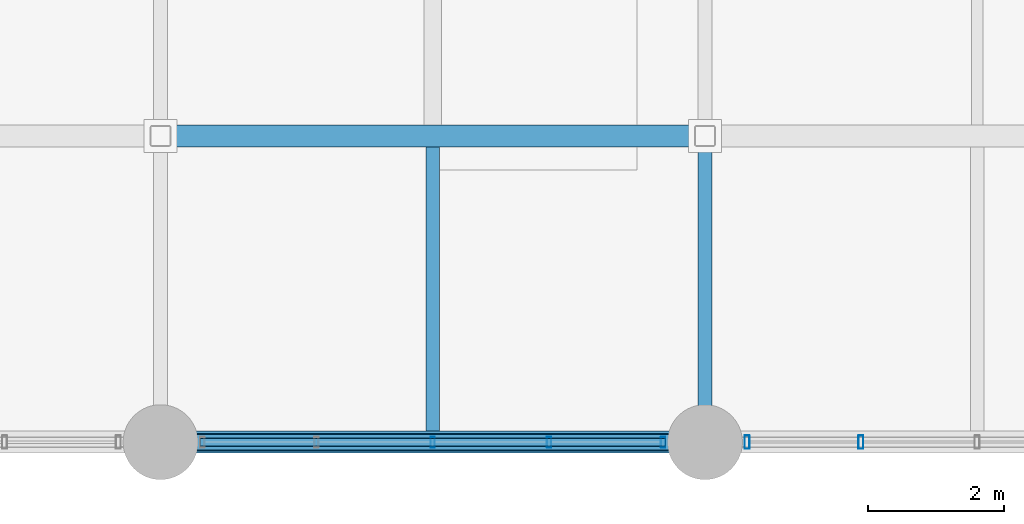
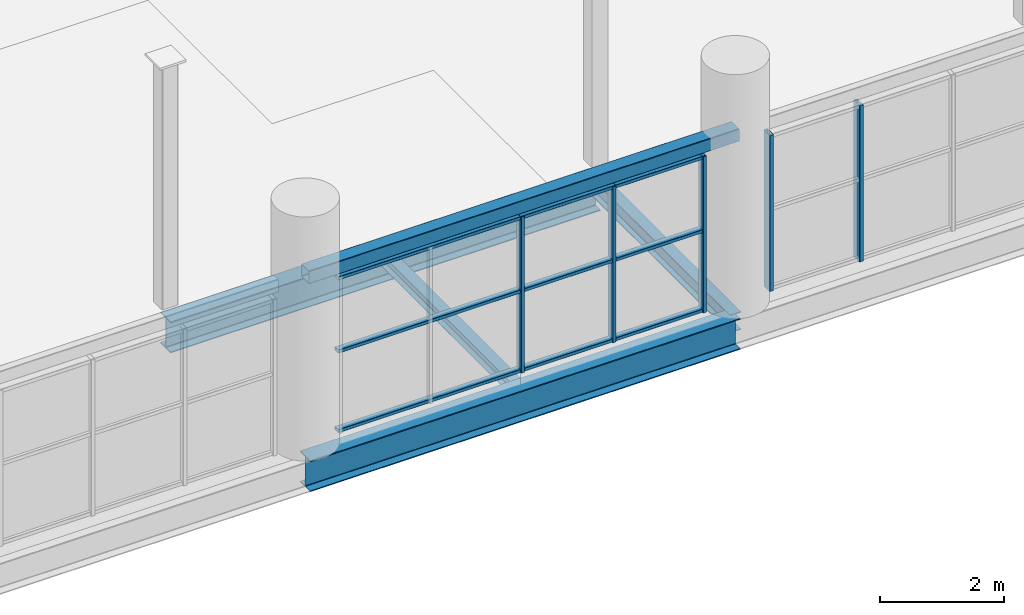
# One storey, part 27 of 114: 8 members, 5 beams, 2 elements without a shape of their own.
"""IFC4 building model written with IfcOpenShell, lengths in metres."""

import ifcopenshell
import ifcopenshell.guid

model = None  # the IFC model being written
_history = None  # IfcOwnerHistory: only IFC2X3 demands one
_inside = {}  # id of a spatial element -> (the spatial element, [elements in it])
_under = {}  # id of a project, library or spatial element -> (it, [spatial elements below it])
_declared = {}  # id of a project -> (the project, [libraries it declares])
_typed = {}  # id of a type object -> (the type object, [elements of that type])
_made_of = {}  # id of a material, layer set ... -> (it, [elements and type objects made of it])


def new_model(schema):
    """Start an empty IFC model of exactly this schema.

    Asked for "IFC4X3", IfcOpenShell would pick the latest addendum, in which some entities
    have other attributes; the version numbers below select the first issue.
    IFC2X3 requires an IfcOwnerHistory on every rooted entity: one is made here for all.
    """
    global model, _history
    if schema == "IFC4X3":
        model = ifcopenshell.file(schema_version=(4, 3, 0, 0))
    else:
        model = ifcopenshell.file(schema=schema)
    _inside.clear()
    _under.clear()
    _declared.clear()
    _typed.clear()
    _made_of.clear()
    _history = None
    if model.schema == "IFC2X3":
        org = make("IfcOrganization", Name="unknown")
        user = make(
            "IfcPersonAndOrganization",
            ThePerson=make("IfcPerson", FamilyName="unknown"),
            TheOrganization=org,
        )
        app = make(
            "IfcApplication",
            ApplicationDeveloper=org,
            Version="unknown",
            ApplicationFullName="unknown",
            ApplicationIdentifier="unknown",
        )
        _history = make(
            "IfcOwnerHistory",
            OwningUser=user,
            OwningApplication=app,
            ChangeAction="ADDED",
            CreationDate=0,
        )
    return model


def make(cls, **values):
    """One entity of the class cls with the attributes given. An attribute that is None is left unset."""
    return model.create_entity(
        cls, **{name: value for name, value in values.items() if value is not None}
    )


def rooted(cls, **values):
    """An entity with a GlobalId (a new one), such as an element, a storey or a relation."""
    return make(cls, GlobalId=ifcopenshell.guid.new(), OwnerHistory=_history, **values)


def si_unit(unit_type, name, prefix=None):
    """IfcSIUnit, for example si_unit("LENGTHUNIT", "METRE", prefix="MILLI")."""
    return make("IfcSIUnit", UnitType=unit_type, Prefix=prefix, Name=name)


def assignment(units):
    """IfcUnitAssignment: the units of a project."""
    return None if units is None else make("IfcUnitAssignment", Units=units)


def point(xyz):
    """IfcCartesianPoint."""
    return None if xyz is None else make("IfcCartesianPoint", Coordinates=xyz)


def direction(xyz):
    """IfcDirection."""
    return None if xyz is None else make("IfcDirection", DirectionRatios=xyz)


def frame(location, z_axis=None, x_axis=None):
    """IfcAxis2Placement3D, a coordinate frame: its origin and axes. An axis left out is left unset."""
    return make(
        "IfcAxis2Placement3D",
        Location=point(location),
        Axis=direction(z_axis),
        RefDirection=direction(x_axis),
    )


def frame_2d(location, x_axis=None):
    """IfcAxis2Placement2D, a coordinate frame in the plane: its origin and x axis."""
    return make(
        "IfcAxis2Placement2D", Location=point(location), RefDirection=direction(x_axis)
    )


def origin():
    """The frame at (0, 0, 0) with its axes left unset."""
    return frame((0.0, 0.0, 0.0))


def origin_2d():
    """The frame at (0, 0) in the plane with its x axis left unset."""
    return frame_2d((0.0, 0.0))


def place(relative_to, where):
    """IfcLocalPlacement: puts the frame where relative to a parent placement (None: the world)."""
    return make(
        "IfcLocalPlacement", PlacementRelTo=relative_to, RelativePlacement=where
    )


def context(
    kind, dimensions, precision=None, world=None, true_north=None, identifier=None
):
    """IfcGeometricRepresentationContext, for example the 3D "Model" context."""
    return make(
        "IfcGeometricRepresentationContext",
        ContextIdentifier=identifier,
        ContextType=kind,
        CoordinateSpaceDimension=dimensions,
        Precision=precision,
        WorldCoordinateSystem=world,
        TrueNorth=true_north,
    )


def subcontext(parent, identifier, kind, view, scale=None):
    """IfcGeometricRepresentationSubContext, for example "Body" below "Model"."""
    return make(
        "IfcGeometricRepresentationSubContext",
        ContextIdentifier=identifier,
        ContextType=kind,
        ParentContext=parent,
        TargetScale=scale,
        TargetView=view,
    )


def project(units=None, contexts=None):
    """IfcProject with its units and contexts."""
    return rooted(
        "IfcProject",
        Name="project",
        RepresentationContexts=contexts,
        UnitsInContext=assignment(units),
    )


def spatial(cls, under=None, at=None, **own):
    """A site, building, storey or space (cls), placed at a placement, below another one or the project."""
    s = rooted(cls, ObjectPlacement=at, **own)
    if under is not None:
        _under.setdefault(under.id(), (under, []))[1].append(s)
    return s


def profile(cls, at=None, kind="AREA", **sizes):
    """A parametric profile (cls). Its sizes go by their IFC names, for example OverallWidth=200.0."""
    return make(cls, ProfileType=kind, Position=at, **sizes)


def hollow_rectangle(**sizes):
    """IfcRectangleHollowProfileDef."""
    return profile("IfcRectangleHollowProfileDef", **sizes)


def i_section(**sizes):
    """IfcIShapeProfileDef."""
    return profile("IfcIShapeProfileDef", **sizes)


def extrude(swept, where, along, depth):
    """IfcExtrudedAreaSolid: the profile swept, set in the frame where, extruded along a direction by depth."""
    return make(
        "IfcExtrudedAreaSolid",
        SweptArea=swept,
        Position=where,
        ExtrudedDirection=direction(along),
        Depth=depth,
    )


def shape(context_of_items, identifier, shape_type, items):
    """IfcShapeRepresentation: the items that make up one representation, for example the "Body"."""
    return make(
        "IfcShapeRepresentation",
        ContextOfItems=context_of_items,
        RepresentationIdentifier=identifier,
        RepresentationType=shape_type,
        Items=items,
    )


def material(Name=None, Category=None):
    """IfcMaterial."""
    return make("IfcMaterial", Name=Name, Category=Category)


def material_profile(
    of_material, cross_section, Name=None, Category=None, Priority=None
):
    """IfcMaterialProfile: a cross section and its material."""
    return make(
        "IfcMaterialProfile",
        Name=Name,
        Material=of_material,
        Profile=cross_section,
        Priority=Priority,
        Category=Category,
    )


def profile_set(profiles, Name=None, composite=None):
    """IfcMaterialProfileSet."""
    return make(
        "IfcMaterialProfileSet",
        Name=Name,
        MaterialProfiles=profiles,
        CompositeProfile=composite,
    )


def made_of(thing, what):
    """Note that an element or type object is made of a material, layer set ...; save() writes the relation."""
    if what is not None:
        _made_of.setdefault(what.id(), (what, []))[1].append(thing)
    return thing


def type_object(cls, material=None, **own):
    """A type object (cls), such as IfcWallType, which elements share."""
    return made_of(rooted(cls, **own), material)


def element(
    cls,
    number,
    at=None,
    inside=None,
    cuts=None,
    type_object=None,
    material=None,
    context=None,
    identifier="Body",
    shape_type=None,
    held_by="IfcProductDefinitionShape",
    body=None,
    shapes=None,
    **own,
):
    """One element of the class cls, such as IfcWall. Its Tag is "e" and its number.

    at: its placement. inside: the storey or other place that contains it. cuts: it is an
    opening in that element (IfcRelVoidsElement). A single representation is given by context,
    identifier, shape_type and body (its items); several are given by shapes. held_by: the class
    of the entity that holds the representations. save() writes the other relations.
    """
    e = rooted(cls, Tag="e%d" % number, ObjectPlacement=at, **own)
    if body is not None:
        shapes = [shape(context, identifier, shape_type, body)]
    if shapes is not None:
        e.Representation = make(held_by, Representations=shapes)
    if inside is not None:
        _inside.setdefault(inside.id(), (inside, []))[1].append(e)
    if cuts is not None:
        rooted(
            "IfcRelVoidsElement", RelatingBuildingElement=cuts, RelatedOpeningElement=e
        )
    if type_object is not None:
        _typed.setdefault(type_object.id(), (type_object, []))[1].append(e)
    return made_of(e, material)


def aggregate(whole, parts):
    """IfcRelAggregates: a whole, such as a stair, and the parts it consists of."""
    return rooted("IfcRelAggregates", RelatingObject=whole, RelatedObjects=parts)


def save(model, path):
    """Write the relations noted so far, then the file.

    IfcRelAggregates (storeys below a building ...), IfcRelContainedInSpatialStructure (elements
    in a storey), IfcRelDefinesByType, IfcRelAssociatesMaterial and IfcRelDeclares: one each for
    every whole, place, type object, material and project.
    """
    for whole, parts in _under.values():
        aggregate(whole, parts)
    for where, things in _inside.values():
        rooted(
            "IfcRelContainedInSpatialStructure",
            RelatedElements=things,
            RelatingStructure=where,
        )
    for kind, things in _typed.values():
        rooted("IfcRelDefinesByType", RelatedObjects=things, RelatingType=kind)
    for what, things in _made_of.values():
        rooted("IfcRelAssociatesMaterial", RelatedObjects=things, RelatingMaterial=what)
    for by, libraries in _declared.values():
        rooted("IfcRelDeclares", RelatingContext=by, RelatedDefinitions=libraries)
    model.write(path)


model = new_model("IFC4")

# Units and contexts
model_context = context("Model", 3, precision=1e-05, world=origin(), true_north=direction((0.0, 1.0)))
body_context = subcontext(model_context, "Body", "Model", "MODEL_VIEW")
ifc_project = project(units=[si_unit("LENGTHUNIT", "METRE"), si_unit("AREAUNIT", "SQUARE_METRE"), si_unit("VOLUMEUNIT", "CUBIC_METRE"), si_unit("PLANEANGLEUNIT", "RADIAN"), si_unit("MASSUNIT", "GRAM", prefix="KILO")], contexts=[model_context])

# Site, building, storey
site_placement = place(None, origin())
site = spatial("IfcSite", under=ifc_project, at=site_placement, CompositionType="ELEMENT")
building_placement = place(site_placement, origin())
building = spatial("IfcBuilding", under=site, at=building_placement, Name="Verrall Gate Interchange", CompositionType="ELEMENT")
storey_placement = place(building_placement, frame((0.0, 0.0, 6.60009765625)))
storey = spatial("IfcBuildingStorey", under=building, at=storey_placement, Name="L02", CompositionType="ELEMENT", Elevation=6.60009765625)

# Beams
ifc_material_1 = material(Name="Structural Steel CSA G40.21 350WT Cat 4", Category="steel")
ifc_material_profile_1 = material_profile(ifc_material_1, i_section(OverallWidth=0.323974609375, OverallDepth=0.611083984375, WebThickness=0.0126953125, FlangeThickness=0.01904296875, FilletRadius=0.014892578125, at=origin_2d()), Name="W610x155")
ifc_profile_set_1 = profile_set([ifc_material_profile_1], Name="Structural Steel CSA G40.21 350WT Cat 4")
beam_type_1 = type_object("IfcBeamType", Name="B-08 Structural Beam W610x155", PredefinedType="BEAM", material=ifc_profile_set_1)
for number, where, z_axis, x_axis, name in (
    (1, (68.0, 0.0, -0.585693359375), (1.0, 0.0, 0.0), (0.0, 1.0, 0.0), "L02 Girder BM-L02-1445 (B-08)"),
    (2, (68.0, 4.5, -0.585693359375), (1.0, 0.0, 0.0), (0.0, 1.0, 0.0), "L02 Girder BM-L02-1461 (B-08)"),
):
    element("IfcBeam", number, at=place(storey_placement, frame(where, z_axis=z_axis, x_axis=x_axis)), inside=storey, type_object=beam_type_1, Name=name, PredefinedType="BEAM", context=body_context, shape_type="SweptSolid", body=[
        extrude(i_section(OverallWidth=0.323974609375, OverallDepth=0.611083984375, WebThickness=0.0126953125, FlangeThickness=0.01904296875, FilletRadius=0.014892578125, at=origin_2d()), origin(), (0.0, 0.0, 1.0), 8.0),
    ])
ifc_material_2 = material(Name="Structural Steel CSA G40.21 350W", Category="steel")
ifc_material_profile_2 = material_profile(ifc_material_2, i_section(OverallWidth=0.205078125, OverallDepth=0.35400390625, WebThickness=0.009521484375, FlangeThickness=0.016845703125, FilletRadius=0.012939453125, at=origin_2d()), Name="W360x79")
ifc_profile_set_2 = profile_set([ifc_material_profile_2], Name="Structural Steel CSA G40.21 350W")
beam_type_2 = type_object("IfcBeamType", Name="B-14 Structural Beam W360x79", PredefinedType="BEAM", material=ifc_profile_set_2)
beam_1_placement = place(storey_placement, frame((76.0, 0.0, -0.45703125), z_axis=(0.0, 1.0, 0.0), x_axis=(-1.0, 0.0, 0.0)))
element("IfcBeam", 3, at=beam_1_placement, inside=storey, type_object=beam_type_2, Name="L02 Girder BM-L02-1751 (B-14)", PredefinedType="BEAM", context=body_context, shape_type="SweptSolid", body=[
    extrude(i_section(OverallWidth=0.205078125, OverallDepth=0.35400390625, WebThickness=0.009521484375, FlangeThickness=0.016845703125, FilletRadius=0.012939453125, at=origin_2d()), origin(), (0.0, 0.0, 1.0), 4.5),
])

# Curtain wall, members
ifc_material_3 = material(Name="Thermally Broken Anodized Aluminium Curtain Wall Framing", Category="aluminium")
curtain_wall_type = type_object("IfcCurtainWallType", Name="CW-14 Unitized Curtain Wall 6836x3070", PredefinedType="NOTDEFINED", material=ifc_material_3)
curtain_wall_1_placement = place(storey_placement, origin())
curtain_wall_1 = element("IfcCurtainWall", 4, at=curtain_wall_1_placement, inside=storey, type_object=curtain_wall_type, Name="L02 Unitized Curtain Wall CW-L02-056", PredefinedType="NOTDEFINED")
ifc_material_4 = material(Name="Thermally Broken Anodized Aluminium Curtain Wall Framing", Category="aluminium")
ifc_material_profile_3 = material_profile(ifc_material_4, hollow_rectangle(XDim=0.06494140625, YDim=0.159912109375, WallThickness=0.00390625, InnerFilletRadius=0.00390625, OuterFilletRadius=0.008056640625, at=origin_2d()), Name="CWM160x65x4")
ifc_profile_set_3 = profile_set([ifc_material_profile_3], Name="Thermally Broken Anodized Aluminium Curtain Wall Framing")
member_type_1 = type_object("IfcMemberType", Name="CM-01 Curtain Mullion CWM160x65x4", PredefinedType="MULLION", material=ifc_profile_set_3)
member_1_placement = place(storey_placement, frame((72.0, 0.0, 0.0), z_axis=(0.0, 0.0, 1.0), x_axis=(1.0, 0.0, 0.0)))
member_1 = element("IfcMember", 5, at=member_1_placement, type_object=member_type_1, Name="CW-L02-056 Mullion 3", PredefinedType="MULLION", context=body_context, shape_type="SweptSolid", body=[
    extrude(hollow_rectangle(XDim=0.06494140625, YDim=0.159912109375, WallThickness=0.00390625, InnerFilletRadius=0.00390625, OuterFilletRadius=0.008056640625, at=origin_2d()), origin(), (0.0, 0.0, 1.0), 3.06982421875),
])
member_2_placement = place(storey_placement, frame((73.708984375, 0.0, 0.0), z_axis=(0.0, 0.0, 1.0), x_axis=(1.0, 0.0, 0.0)))
member_2 = element("IfcMember", 6, at=member_2_placement, type_object=member_type_1, Name="CW-L02-056 Mullion 4", PredefinedType="MULLION", context=body_context, shape_type="SweptSolid", body=[
    extrude(hollow_rectangle(XDim=0.06494140625, YDim=0.159912109375, WallThickness=0.00390625, InnerFilletRadius=0.00390625, OuterFilletRadius=0.008056640625, at=origin_2d()), origin(), (0.0, 0.0, 1.0), 3.06982421875),
])
member_3_placement = place(storey_placement, frame((75.385498046875, 0.0, 0.0), z_axis=(0.0, 0.0, 1.0), x_axis=(1.0, 0.0, 0.0)))
member_3 = element("IfcMember", 7, at=member_3_placement, type_object=member_type_1, Name="CW-L02-056 Mullion 5", PredefinedType="MULLION", context=body_context, shape_type="SweptSolid", body=[
    extrude(hollow_rectangle(XDim=0.06494140625, YDim=0.159912109375, WallThickness=0.00390625, InnerFilletRadius=0.00390625, OuterFilletRadius=0.008056640625, at=origin_2d()), origin(), (0.0, 0.0, 1.0), 3.06982421875),
])

curtain_wall_2_placement = place(storey_placement, origin())
curtain_wall_2 = element("IfcCurtainWall", 8, at=curtain_wall_2_placement, inside=storey, type_object=curtain_wall_type, Name="L02 Unitized Curtain Wall CW-L02-057", PredefinedType="NOTDEFINED")
ifc_material_5 = material(Name="Thermally Broken Anodized Aluminium Curtain Wall Framing", Category="aluminium")
ifc_material_profile_4 = material_profile(ifc_material_5, hollow_rectangle(XDim=0.074951171875, YDim=0.199951171875, WallThickness=0.0048828125, InnerFilletRadius=0.0048828125, OuterFilletRadius=0.010009765625, at=origin_2d()), Name="CWM200x75x5")
ifc_profile_set_4 = profile_set([ifc_material_profile_4], Name="Thermally Broken Anodized Aluminium Curtain Wall Framing")
member_type_2 = type_object("IfcMemberType", Name="CM-02 Curtain Mullion CWM200x75x5", PredefinedType="MULLION", material=ifc_profile_set_4)
member_4_placement = place(storey_placement, frame((76.619384765625, 0.0, 0.0), z_axis=(0.0, 0.0, 1.0), x_axis=(1.0, 0.0, 0.0)))
member_4 = element("IfcMember", 9, at=member_4_placement, type_object=member_type_2, Name="CW-L02-057 Mullion 1", PredefinedType="MULLION", context=body_context, shape_type="SweptSolid", body=[
    extrude(hollow_rectangle(XDim=0.074951171875, YDim=0.199951171875, WallThickness=0.0048828125, InnerFilletRadius=0.0048828125, OuterFilletRadius=0.010009765625, at=origin_2d()), origin(), (0.0, 0.0, 1.0), 3.06982421875),
])
member_5_placement = place(storey_placement, frame((78.291015625, 0.0, 0.0), z_axis=(0.0, 0.0, 1.0), x_axis=(1.0, 0.0, 0.0)))
member_5 = element("IfcMember", 10, at=member_5_placement, type_object=member_type_2, Name="CW-L02-057 Mullion 2", PredefinedType="MULLION", context=body_context, shape_type="SweptSolid", body=[
    extrude(hollow_rectangle(XDim=0.074951171875, YDim=0.199951171875, WallThickness=0.0048828125, InnerFilletRadius=0.0048828125, OuterFilletRadius=0.010009765625, at=origin_2d()), origin(), (0.0, 0.0, 1.0), 3.06982421875),
])
aggregate(curtain_wall_2, [member_4, member_5])

# Member
ifc_material_6 = material(Name="Thermally Broken Anodized Aluminium Curtain Wall Framing", Category="aluminium")
ifc_material_profile_5 = material_profile(ifc_material_6, hollow_rectangle(XDim=0.1201171875, YDim=0.06494140625, WallThickness=0.00390625, InnerFilletRadius=0.00390625, OuterFilletRadius=0.008056640625, at=origin_2d()), Name="CWT120x65x4")
ifc_profile_set_5 = profile_set([ifc_material_profile_5], Name="Thermally Broken Anodized Aluminium Curtain Wall Framing")
member_type_3 = type_object("IfcMemberType", Name="CT-01 Curtain Transom CWT120x65x4", PredefinedType="USERDEFINED", material=ifc_profile_set_5)
member_6_placement = place(storey_placement, frame((68.58203125, 0.0, 0.032470703125), z_axis=(1.0, 0.0, 0.0), x_axis=(0.0, 1.0, 0.0)))
member_6 = element("IfcMember", 11, at=member_6_placement, type_object=member_type_3, Name="CW-L02-056 Transom 1", ObjectType="TRANSOM", PredefinedType="USERDEFINED", context=body_context, shape_type="SweptSolid", body=[
    extrude(hollow_rectangle(XDim=0.1201171875, YDim=0.06494140625, WallThickness=0.00390625, InnerFilletRadius=0.00390625, OuterFilletRadius=0.008056640625, at=origin_2d()), origin(), (0.0, 0.0, 1.0), 6.8359375),
])

member_7_placement = place(storey_placement, frame((68.58203125, 0.0, 1.59619140625), z_axis=(1.0, 0.0, 0.0), x_axis=(0.0, 1.0, 0.0)))
member_7 = element("IfcMember", 12, at=member_7_placement, type_object=member_type_3, Name="CW-L02-056 Transom 2", ObjectType="TRANSOM", PredefinedType="USERDEFINED", context=body_context, shape_type="SweptSolid", body=[
    extrude(hollow_rectangle(XDim=0.1201171875, YDim=0.06494140625, WallThickness=0.00390625, InnerFilletRadius=0.00390625, OuterFilletRadius=0.008056640625, at=origin_2d()), origin(), (0.0, 0.0, 1.0), 6.8359375),
])

member_8_placement = place(storey_placement, frame((68.58203125, 0.0, 3.037353515625), z_axis=(1.0, 0.0, 0.0), x_axis=(0.0, 1.0, 0.0)))
member_8 = element("IfcMember", 13, at=member_8_placement, type_object=member_type_3, Name="CW-L02-056 Transom 3", ObjectType="TRANSOM", PredefinedType="USERDEFINED", context=body_context, shape_type="SweptSolid", body=[
    extrude(hollow_rectangle(XDim=0.1201171875, YDim=0.06494140625, WallThickness=0.00390625, InnerFilletRadius=0.00390625, OuterFilletRadius=0.008056640625, at=origin_2d()), origin(), (0.0, 0.0, 1.0), 6.8359375),
])

aggregate(curtain_wall_1, [member_1, member_2, member_3, member_6, member_7, member_8])

# Beams
ifc_material_7 = material(Name="Structural Steel CSA G40.21 350W", Category="steel")
ifc_material_profile_6 = material_profile(ifc_material_7, i_section(OverallWidth=0.201904296875, OverallDepth=0.2470703125, WebThickness=0.00732421875, FlangeThickness=0.010986328125, FilletRadius=0.010986328125, at=origin_2d()), Name="W250x49")
ifc_profile_set_6 = profile_set([ifc_material_profile_6], Name="Structural Steel CSA G40.21 350W")
beam_type_3 = type_object("IfcBeamType", Name="J-06 Floor Joist W250x49", PredefinedType="JOIST", material=ifc_profile_set_6)
beam_2_placement = place(storey_placement, frame((72.0, 0.162109375, -0.403564453125), z_axis=(0.0, 1.0, 0.0), x_axis=(-1.0, 0.0, 0.0)))
element("IfcBeam", 14, at=beam_2_placement, inside=storey, type_object=beam_type_3, Name="L02 Secondary Floor Joist JST-L02-1848", PredefinedType="JOIST", context=body_context, shape_type="SweptSolid", body=[
    extrude(i_section(OverallWidth=0.201904296875, OverallDepth=0.2470703125, WebThickness=0.00732421875, FlangeThickness=0.010986328125, FilletRadius=0.010986328125, at=origin_2d()), origin(), (0.0, 0.0, 1.0), 4.17578125),
])
ifc_material_8 = material(Name="Structural Steel CSA G40.21 350W", Category="steel")
ifc_material_profile_7 = material_profile(ifc_material_8, hollow_rectangle(XDim=0.25390625, YDim=0.25390625, WallThickness=0.009521484375, InnerFilletRadius=0.009521484375, OuterFilletRadius=0.01904296875, at=origin_2d()), Name="HSS254x254x9.5")
ifc_profile_set_7 = profile_set([ifc_material_profile_7], Name="Structural Steel CSA G40.21 350W")
beam_type_4 = type_object("IfcBeamType", Name="LN-03 Portal Lintel HSS254x254x9.5", PredefinedType="LINTEL", material=ifc_profile_set_7)
beam_3_placement = place(storey_placement, frame((68.0, 0.0, 3.2998046875), z_axis=(1.0, 0.0, 0.0), x_axis=(0.0, 1.0, 0.0)))
element("IfcBeam", 15, at=beam_3_placement, inside=storey, type_object=beam_type_4, Name="Classical Portal Lintel 027", PredefinedType="LINTEL", context=body_context, shape_type="SweptSolid", body=[
    extrude(hollow_rectangle(XDim=0.25390625, YDim=0.25390625, WallThickness=0.009521484375, InnerFilletRadius=0.009521484375, OuterFilletRadius=0.01904296875, at=origin_2d()), origin(), (0.0, 0.0, 1.0), 8.0),
])

save(model, "model.ifc")
